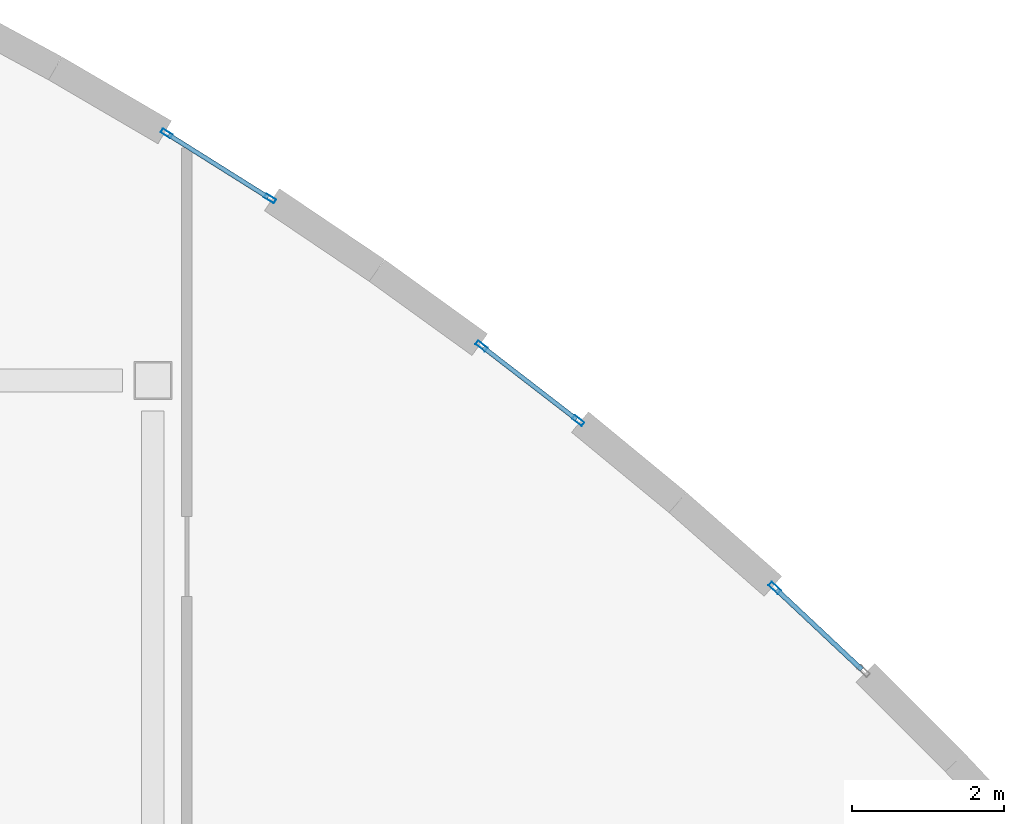
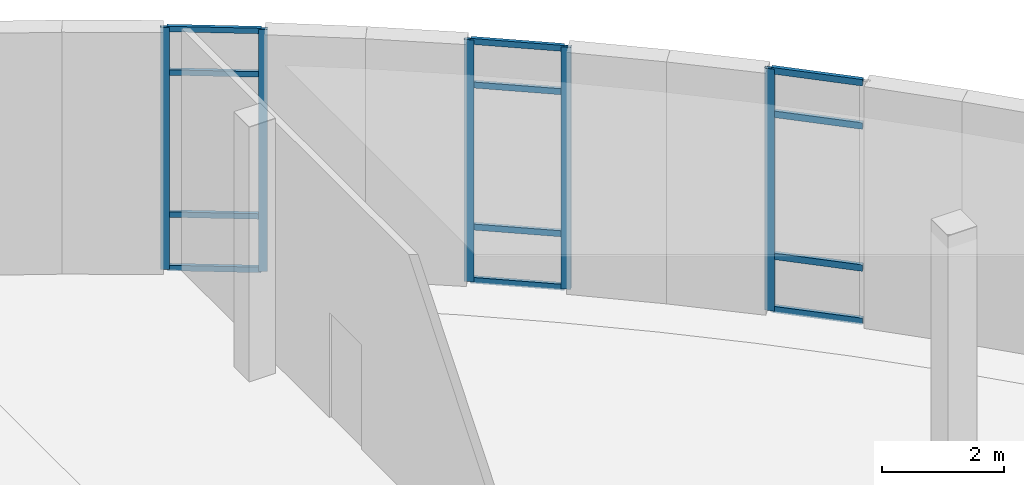
# One storey, part 56 of 104: 17 members, 3 elements without a shape of their own.
"""IFC4 building model written with IfcOpenShell, lengths in metres."""

import ifcopenshell
import ifcopenshell.guid

model = None  # the IFC model being written
_history = None  # IfcOwnerHistory: only IFC2X3 demands one
_inside = {}  # id of a spatial element -> (the spatial element, [elements in it])
_under = {}  # id of a project, library or spatial element -> (it, [spatial elements below it])
_declared = {}  # id of a project -> (the project, [libraries it declares])
_typed = {}  # id of a type object -> (the type object, [elements of that type])
_made_of = {}  # id of a material, layer set ... -> (it, [elements and type objects made of it])


def new_model(schema):
    """Start an empty IFC model of exactly this schema.

    Asked for "IFC4X3", IfcOpenShell would pick the latest addendum, in which some entities
    have other attributes; the version numbers below select the first issue.
    IFC2X3 requires an IfcOwnerHistory on every rooted entity: one is made here for all.
    """
    global model, _history
    if schema == "IFC4X3":
        model = ifcopenshell.file(schema_version=(4, 3, 0, 0))
    else:
        model = ifcopenshell.file(schema=schema)
    _inside.clear()
    _under.clear()
    _declared.clear()
    _typed.clear()
    _made_of.clear()
    _history = None
    if model.schema == "IFC2X3":
        org = make("IfcOrganization", Name="unknown")
        user = make(
            "IfcPersonAndOrganization",
            ThePerson=make("IfcPerson", FamilyName="unknown"),
            TheOrganization=org,
        )
        app = make(
            "IfcApplication",
            ApplicationDeveloper=org,
            Version="unknown",
            ApplicationFullName="unknown",
            ApplicationIdentifier="unknown",
        )
        _history = make(
            "IfcOwnerHistory",
            OwningUser=user,
            OwningApplication=app,
            ChangeAction="ADDED",
            CreationDate=0,
        )
    return model


def make(cls, **values):
    """One entity of the class cls with the attributes given. An attribute that is None is left unset."""
    return model.create_entity(
        cls, **{name: value for name, value in values.items() if value is not None}
    )


def rooted(cls, **values):
    """An entity with a GlobalId (a new one), such as an element, a storey or a relation."""
    return make(cls, GlobalId=ifcopenshell.guid.new(), OwnerHistory=_history, **values)


def si_unit(unit_type, name, prefix=None):
    """IfcSIUnit, for example si_unit("LENGTHUNIT", "METRE", prefix="MILLI")."""
    return make("IfcSIUnit", UnitType=unit_type, Prefix=prefix, Name=name)


def assignment(units):
    """IfcUnitAssignment: the units of a project."""
    return None if units is None else make("IfcUnitAssignment", Units=units)


def point(xyz):
    """IfcCartesianPoint."""
    return None if xyz is None else make("IfcCartesianPoint", Coordinates=xyz)


def direction(xyz):
    """IfcDirection."""
    return None if xyz is None else make("IfcDirection", DirectionRatios=xyz)


def frame(location, z_axis=None, x_axis=None):
    """IfcAxis2Placement3D, a coordinate frame: its origin and axes. An axis left out is left unset."""
    return make(
        "IfcAxis2Placement3D",
        Location=point(location),
        Axis=direction(z_axis),
        RefDirection=direction(x_axis),
    )


def frame_2d(location, x_axis=None):
    """IfcAxis2Placement2D, a coordinate frame in the plane: its origin and x axis."""
    return make(
        "IfcAxis2Placement2D", Location=point(location), RefDirection=direction(x_axis)
    )


def origin():
    """The frame at (0, 0, 0) with its axes left unset."""
    return frame((0.0, 0.0, 0.0))


def origin_2d():
    """The frame at (0, 0) in the plane with its x axis left unset."""
    return frame_2d((0.0, 0.0))


def place(relative_to, where):
    """IfcLocalPlacement: puts the frame where relative to a parent placement (None: the world)."""
    return make(
        "IfcLocalPlacement", PlacementRelTo=relative_to, RelativePlacement=where
    )


def context(
    kind, dimensions, precision=None, world=None, true_north=None, identifier=None
):
    """IfcGeometricRepresentationContext, for example the 3D "Model" context."""
    return make(
        "IfcGeometricRepresentationContext",
        ContextIdentifier=identifier,
        ContextType=kind,
        CoordinateSpaceDimension=dimensions,
        Precision=precision,
        WorldCoordinateSystem=world,
        TrueNorth=true_north,
    )


def subcontext(parent, identifier, kind, view, scale=None):
    """IfcGeometricRepresentationSubContext, for example "Body" below "Model"."""
    return make(
        "IfcGeometricRepresentationSubContext",
        ContextIdentifier=identifier,
        ContextType=kind,
        ParentContext=parent,
        TargetScale=scale,
        TargetView=view,
    )


def project(units=None, contexts=None):
    """IfcProject with its units and contexts."""
    return rooted(
        "IfcProject",
        Name="project",
        RepresentationContexts=contexts,
        UnitsInContext=assignment(units),
    )


def spatial(cls, under=None, at=None, **own):
    """A site, building, storey or space (cls), placed at a placement, below another one or the project."""
    s = rooted(cls, ObjectPlacement=at, **own)
    if under is not None:
        _under.setdefault(under.id(), (under, []))[1].append(s)
    return s


def profile(cls, at=None, kind="AREA", **sizes):
    """A parametric profile (cls). Its sizes go by their IFC names, for example OverallWidth=200.0."""
    return make(cls, ProfileType=kind, Position=at, **sizes)


def hollow_rectangle(**sizes):
    """IfcRectangleHollowProfileDef."""
    return profile("IfcRectangleHollowProfileDef", **sizes)


def extrude(swept, where, along, depth):
    """IfcExtrudedAreaSolid: the profile swept, set in the frame where, extruded along a direction by depth."""
    return make(
        "IfcExtrudedAreaSolid",
        SweptArea=swept,
        Position=where,
        ExtrudedDirection=direction(along),
        Depth=depth,
    )


def shape(context_of_items, identifier, shape_type, items):
    """IfcShapeRepresentation: the items that make up one representation, for example the "Body"."""
    return make(
        "IfcShapeRepresentation",
        ContextOfItems=context_of_items,
        RepresentationIdentifier=identifier,
        RepresentationType=shape_type,
        Items=items,
    )


def material(Name=None, Category=None):
    """IfcMaterial."""
    return make("IfcMaterial", Name=Name, Category=Category)


def layer(
    of_material, thickness, ventilated=None, Name=None, Category=None, Priority=None
):
    """IfcMaterialLayer: one layer of a wall or slab, of a material (None: an air gap)."""
    return make(
        "IfcMaterialLayer",
        Material=of_material,
        LayerThickness=thickness,
        IsVentilated=ventilated,
        Name=Name,
        Category=Category,
        Priority=Priority,
    )


def layer_set(layers, Name=None):
    """IfcMaterialLayerSet."""
    return make("IfcMaterialLayerSet", MaterialLayers=layers, LayerSetName=Name)


def material_profile(
    of_material, cross_section, Name=None, Category=None, Priority=None
):
    """IfcMaterialProfile: a cross section and its material."""
    return make(
        "IfcMaterialProfile",
        Name=Name,
        Material=of_material,
        Profile=cross_section,
        Priority=Priority,
        Category=Category,
    )


def profile_set(profiles, Name=None, composite=None):
    """IfcMaterialProfileSet."""
    return make(
        "IfcMaterialProfileSet",
        Name=Name,
        MaterialProfiles=profiles,
        CompositeProfile=composite,
    )


def made_of(thing, what):
    """Note that an element or type object is made of a material, layer set ...; save() writes the relation."""
    if what is not None:
        _made_of.setdefault(what.id(), (what, []))[1].append(thing)
    return thing


def type_object(cls, material=None, **own):
    """A type object (cls), such as IfcWallType, which elements share."""
    return made_of(rooted(cls, **own), material)


def element(
    cls,
    number,
    at=None,
    inside=None,
    cuts=None,
    type_object=None,
    material=None,
    context=None,
    identifier="Body",
    shape_type=None,
    held_by="IfcProductDefinitionShape",
    body=None,
    shapes=None,
    **own,
):
    """One element of the class cls, such as IfcWall. Its Tag is "e" and its number.

    at: its placement. inside: the storey or other place that contains it. cuts: it is an
    opening in that element (IfcRelVoidsElement). A single representation is given by context,
    identifier, shape_type and body (its items); several are given by shapes. held_by: the class
    of the entity that holds the representations. save() writes the other relations.
    """
    e = rooted(cls, Tag="e%d" % number, ObjectPlacement=at, **own)
    if body is not None:
        shapes = [shape(context, identifier, shape_type, body)]
    if shapes is not None:
        e.Representation = make(held_by, Representations=shapes)
    if inside is not None:
        _inside.setdefault(inside.id(), (inside, []))[1].append(e)
    if cuts is not None:
        rooted(
            "IfcRelVoidsElement", RelatingBuildingElement=cuts, RelatedOpeningElement=e
        )
    if type_object is not None:
        _typed.setdefault(type_object.id(), (type_object, []))[1].append(e)
    return made_of(e, material)


def aggregate(whole, parts):
    """IfcRelAggregates: a whole, such as a stair, and the parts it consists of."""
    return rooted("IfcRelAggregates", RelatingObject=whole, RelatedObjects=parts)


def save(model, path):
    """Write the relations noted so far, then the file.

    IfcRelAggregates (storeys below a building ...), IfcRelContainedInSpatialStructure (elements
    in a storey), IfcRelDefinesByType, IfcRelAssociatesMaterial and IfcRelDeclares: one each for
    every whole, place, type object, material and project.
    """
    for whole, parts in _under.values():
        aggregate(whole, parts)
    for where, things in _inside.values():
        rooted(
            "IfcRelContainedInSpatialStructure",
            RelatedElements=things,
            RelatingStructure=where,
        )
    for kind, things in _typed.values():
        rooted("IfcRelDefinesByType", RelatedObjects=things, RelatingType=kind)
    for what, things in _made_of.values():
        rooted("IfcRelAssociatesMaterial", RelatedObjects=things, RelatingMaterial=what)
    for by, libraries in _declared.values():
        rooted("IfcRelDeclares", RelatingContext=by, RelatedDefinitions=libraries)
    model.write(path)


model = new_model("IFC4")

# Units and contexts
model_context = context("Model", 3, precision=1e-05, world=origin(), true_north=direction((0.0, 1.0)))
body_context = subcontext(model_context, "Body", "Model", "MODEL_VIEW")
ifc_project = project(units=[si_unit("LENGTHUNIT", "METRE"), si_unit("AREAUNIT", "SQUARE_METRE"), si_unit("VOLUMEUNIT", "CUBIC_METRE"), si_unit("PLANEANGLEUNIT", "RADIAN"), si_unit("MASSUNIT", "GRAM", prefix="KILO"), si_unit("THERMODYNAMICTEMPERATUREUNIT", "KELVIN")], contexts=[model_context])

# Site, building, storey
site_placement = place(None, origin())
site = spatial("IfcSite", under=ifc_project, at=site_placement, CompositionType="ELEMENT")
building_placement = place(site_placement, origin())
building = spatial("IfcBuilding", under=site, at=building_placement, Name="Lustrewick Department Store", CompositionType="ELEMENT")
storey_placement = place(building_placement, frame((0.0, 0.0, 11.39990234375)))
storey = spatial("IfcBuildingStorey", under=building, at=storey_placement, Name="L03", CompositionType="ELEMENT", Elevation=11.39990234375)

# Curtain wall, members
ifc_material = material(Name="Thermally broken aluminium 6063-T5", Category="aluminium")
ifc_layer_1 = layer(ifc_material, 0.169921875, Name="Thermally broken aluminium 6063-T5")
ifc_layer_set_1 = layer_set([ifc_layer_1], Name="Thermally broken aluminium 6063-T5")
curtain_wall_type_1 = type_object("IfcCurtainWallType", Name="CW03", PredefinedType="NOTDEFINED", material=ifc_layer_set_1)
curtain_wall_1_placement = place(storey_placement, origin())
curtain_wall_1 = element("IfcCurtainWall", 1, at=curtain_wall_1_placement, inside=storey, type_object=curtain_wall_type_1, Name="L03 V4 Curtain Wall CW03", PredefinedType="NOTDEFINED")
ifc_material_profile_1 = material_profile(ifc_material, hollow_rectangle(XDim=0.06494140625, YDim=0.169921875, WallThickness=0.00390625, at=origin_2d()), Name="ALU-M 65x170x4")
ifc_profile_set_1 = profile_set([ifc_material_profile_1], Name="Thermally broken aluminium 6063-T5")
member_type_1 = type_object("IfcMemberType", Name="CW03-M1", PredefinedType="MULLION", material=ifc_profile_set_1)
member_1_placement = place(storey_placement, frame((150.9833984375, 98.072265625, 0.0), z_axis=(0.0, 0.0, 1.0), x_axis=(-0.68406683598, -0.729419333383, 0.0)))
member_1 = element("IfcMember", 2, at=member_1_placement, type_object=member_type_1, Name="CW03 mullion 2", PredefinedType="MULLION", context=body_context, shape_type="SweptSolid", body=[
    extrude(hollow_rectangle(XDim=0.06494140625, YDim=0.169921875, WallThickness=0.00390625, at=origin_2d()), origin(), (0.0, 0.0, 1.0), 4.84521484375),
])
ifc_material_profile_2 = material_profile(ifc_material, hollow_rectangle(XDim=0.06494140625, YDim=0.1298828125, WallThickness=0.00341796875, at=origin_2d()), Name="ALU-T 65x130x3.5")
ifc_profile_set_2 = profile_set([ifc_material_profile_2], Name="Thermally broken aluminium 6063-T5")
member_type_2 = type_object("IfcMemberType", Name="CW03-T1", PredefinedType="USERDEFINED", material=ifc_profile_set_2)
member_2_placement = place(storey_placement, frame((152.128173828125, 96.998779296875, 0.03271484375), z_axis=(-0.72945793733, 0.684025670327, 0.0), x_axis=(-0.684025670327, -0.72945793733, 0.0)))
member_2 = element("IfcMember", 3, at=member_2_placement, type_object=member_type_2, Name="CW03 transom 1.1", ObjectType="TRANSOM", PredefinedType="USERDEFINED", context=body_context, shape_type="SweptSolid", body=[
    extrude(hollow_rectangle(XDim=0.06494140625, YDim=0.1298828125, WallThickness=0.00341796875, at=origin_2d()), origin(), (0.0, 0.0, 1.0), 1.536865234375),
])
member_3_placement = place(storey_placement, frame((152.128173828125, 96.998779296875, 1.10009765625), z_axis=(-0.72945793733, 0.684025670327, 0.0), x_axis=(-0.684025670327, -0.72945793733, 0.0)))
member_3 = element("IfcMember", 4, at=member_3_placement, type_object=member_type_2, Name="CW03 transom 1.2", ObjectType="TRANSOM", PredefinedType="USERDEFINED", context=body_context, shape_type="SweptSolid", body=[
    extrude(hollow_rectangle(XDim=0.06494140625, YDim=0.1298828125, WallThickness=0.00341796875, at=origin_2d()), origin(), (0.0, 0.0, 1.0), 1.536865234375),
])
member_4_placement = place(storey_placement, frame((152.128173828125, 96.998779296875, 3.945068359375), z_axis=(-0.72945793733, 0.684025670327, 0.0), x_axis=(-0.684025670327, -0.72945793733, 0.0)))
member_4 = element("IfcMember", 5, at=member_4_placement, type_object=member_type_2, Name="CW03 transom 1.3", ObjectType="TRANSOM", PredefinedType="USERDEFINED", context=body_context, shape_type="SweptSolid", body=[
    extrude(hollow_rectangle(XDim=0.06494140625, YDim=0.1298828125, WallThickness=0.00341796875, at=origin_2d()), origin(), (0.0, 0.0, 1.0), 1.536865234375),
])
member_5_placement = place(storey_placement, frame((152.128173828125, 96.998779296875, 4.8125), z_axis=(-0.72945793733, 0.684025670327, 0.0), x_axis=(-0.684025670327, -0.72945793733, 0.0)))
member_5 = element("IfcMember", 6, at=member_5_placement, type_object=member_type_2, Name="CW03 transom 1.4", ObjectType="TRANSOM", PredefinedType="USERDEFINED", context=body_context, shape_type="SweptSolid", body=[
    extrude(hollow_rectangle(XDim=0.06494140625, YDim=0.1298828125, WallThickness=0.00341796875, at=origin_2d()), origin(), (0.0, 0.0, 1.0), 1.536865234375),
])
aggregate(curtain_wall_1, [member_1, member_2, member_3, member_4, member_5])

ifc_layer_2 = layer(ifc_material, 0.159912109375, Name="Thermally broken aluminium 6063-T5")
ifc_layer_set_2 = layer_set([ifc_layer_2], Name="Thermally broken aluminium 6063-T5")
curtain_wall_type_2 = type_object("IfcCurtainWallType", Name="CW04", PredefinedType="NOTDEFINED", material=ifc_layer_set_2)
curtain_wall_2_placement = place(storey_placement, origin())
curtain_wall_2 = element("IfcCurtainWall", 7, at=curtain_wall_2_placement, inside=storey, type_object=curtain_wall_type_2, Name="L03 V4 Curtain Wall CW04", PredefinedType="NOTDEFINED")
ifc_material_profile_3 = material_profile(ifc_material, hollow_rectangle(XDim=0.06005859375, YDim=0.159912109375, WallThickness=0.00390625, at=origin_2d()), Name="ALU-M 60x160x4")
ifc_profile_set_3 = profile_set([ifc_material_profile_3], Name="Thermally broken aluminium 6063-T5")
member_type_3 = type_object("IfcMemberType", Name="CW04-M1", PredefinedType="MULLION", material=ifc_profile_set_3)
member_6_placement = place(storey_placement, frame((148.397705078125, 100.2734375, 0.0), z_axis=(0.0, 0.0, 1.0), x_axis=(-0.610866848982, -0.791733347039, 0.0)))
member_6 = element("IfcMember", 8, at=member_6_placement, type_object=member_type_3, Name="CW04 mullion 1", PredefinedType="MULLION", context=body_context, shape_type="SweptSolid", body=[
    extrude(hollow_rectangle(XDim=0.06005859375, YDim=0.159912109375, WallThickness=0.00390625, at=origin_2d()), origin(), (0.0, 0.0, 1.0), 4.84521484375),
])
member_7_placement = place(storey_placement, frame((147.12548828125, 101.255126953125, 0.0), z_axis=(0.0, 0.0, 1.0), x_axis=(-0.610866848982, -0.791733347039, 0.0)))
member_7 = element("IfcMember", 9, at=member_7_placement, type_object=member_type_3, Name="CW04 mullion 2", PredefinedType="MULLION", context=body_context, shape_type="SweptSolid", body=[
    extrude(hollow_rectangle(XDim=0.06005859375, YDim=0.159912109375, WallThickness=0.00390625, at=origin_2d()), origin(), (0.0, 0.0, 1.0), 4.84521484375),
])
ifc_material_profile_4 = material_profile(ifc_material, hollow_rectangle(XDim=0.06005859375, YDim=0.1201171875, WallThickness=0.00341796875, at=origin_2d()), Name="ALU-T 60x120x3.5")
ifc_profile_set_4 = profile_set([ifc_material_profile_4], Name="Thermally broken aluminium 6063-T5")
member_type_4 = type_object("IfcMemberType", Name="CW04-T1", PredefinedType="USERDEFINED", material=ifc_profile_set_4)
member_8_placement = place(storey_placement, frame((148.3740234375, 100.291748046875, 0.030029296875), z_axis=(-0.791725557367, 0.610876944901, 0.0), x_axis=(-0.610876944901, -0.791725557367, 0.0)))
member_8 = element("IfcMember", 10, at=member_8_placement, type_object=member_type_4, Name="CW04 transom 1.1", ObjectType="TRANSOM", PredefinedType="USERDEFINED", context=body_context, shape_type="SweptSolid", body=[
    extrude(hollow_rectangle(XDim=0.06005859375, YDim=0.1201171875, WallThickness=0.00341796875, at=origin_2d()), origin(), (0.0, 0.0, 1.0), 1.547119140625),
])
member_9_placement = place(storey_placement, frame((148.3740234375, 100.291748046875, 1.10009765625), z_axis=(-0.791725557367, 0.610876944901, 0.0), x_axis=(-0.610876944901, -0.791725557367, 0.0)))
member_9 = element("IfcMember", 11, at=member_9_placement, type_object=member_type_4, Name="CW04 transom 1.2", ObjectType="TRANSOM", PredefinedType="USERDEFINED", context=body_context, shape_type="SweptSolid", body=[
    extrude(hollow_rectangle(XDim=0.06005859375, YDim=0.1201171875, WallThickness=0.00341796875, at=origin_2d()), origin(), (0.0, 0.0, 1.0), 1.547119140625),
])
member_10_placement = place(storey_placement, frame((148.3740234375, 100.291748046875, 3.945068359375), z_axis=(-0.791725557367, 0.610876944901, 0.0), x_axis=(-0.610876944901, -0.791725557367, 0.0)))
member_10 = element("IfcMember", 12, at=member_10_placement, type_object=member_type_4, Name="CW04 transom 1.3", ObjectType="TRANSOM", PredefinedType="USERDEFINED", context=body_context, shape_type="SweptSolid", body=[
    extrude(hollow_rectangle(XDim=0.06005859375, YDim=0.1201171875, WallThickness=0.00341796875, at=origin_2d()), origin(), (0.0, 0.0, 1.0), 1.547119140625),
])
member_11_placement = place(storey_placement, frame((148.3740234375, 100.291748046875, 4.815185546875), z_axis=(-0.791725557367, 0.610876944901, 0.0), x_axis=(-0.610876944901, -0.791725557367, 0.0)))
member_11 = element("IfcMember", 13, at=member_11_placement, type_object=member_type_4, Name="CW04 transom 1.4", ObjectType="TRANSOM", PredefinedType="USERDEFINED", context=body_context, shape_type="SweptSolid", body=[
    extrude(hollow_rectangle(XDim=0.06005859375, YDim=0.1201171875, WallThickness=0.00341796875, at=origin_2d()), origin(), (0.0, 0.0, 1.0), 1.547119140625),
])
aggregate(curtain_wall_2, [member_6, member_7, member_8, member_9, member_10, member_11])

ifc_layer_3 = layer(ifc_material, 0.14990234375, Name="Thermally broken aluminium 6063-T5")
ifc_layer_set_3 = layer_set([ifc_layer_3], Name="Thermally broken aluminium 6063-T5")
curtain_wall_type_3 = type_object("IfcCurtainWallType", Name="CW05", PredefinedType="NOTDEFINED", material=ifc_layer_set_3)
curtain_wall_3_placement = place(storey_placement, origin())
curtain_wall_3 = element("IfcCurtainWall", 14, at=curtain_wall_3_placement, inside=storey, type_object=curtain_wall_type_3, Name="L03 V4 Curtain Wall CW05", PredefinedType="NOTDEFINED")
ifc_material_profile_5 = material_profile(ifc_material, hollow_rectangle(XDim=0.06005859375, YDim=0.14990234375, WallThickness=0.00341796875, at=origin_2d()), Name="ALU-M 60x150x3.5")
ifc_profile_set_5 = profile_set([ifc_material_profile_5], Name="Thermally broken aluminium 6063-T5")
member_type_5 = type_object("IfcMemberType", Name="CW05-M1", PredefinedType="MULLION", material=ifc_profile_set_5)
member_12_placement = place(storey_placement, frame((144.34228515625, 103.196533203125, 0.0), z_axis=(0.0, 0.0, 1.0), x_axis=(-0.532014270503, -0.846735387226, 0.0)))
member_12 = element("IfcMember", 15, at=member_12_placement, type_object=member_type_5, Name="CW05 mullion 1", PredefinedType="MULLION", context=body_context, shape_type="SweptSolid", body=[
    extrude(hollow_rectangle(XDim=0.06005859375, YDim=0.14990234375, WallThickness=0.00341796875, at=origin_2d()), origin(), (0.0, 0.0, 1.0), 4.84521484375),
])
member_13_placement = place(storey_placement, frame((142.981689453125, 104.051513671875, 0.0), z_axis=(0.0, 0.0, 1.0), x_axis=(-0.532014270503, -0.846735387226, 0.0)))
member_13 = element("IfcMember", 16, at=member_13_placement, type_object=member_type_5, Name="CW05 mullion 2", PredefinedType="MULLION", context=body_context, shape_type="SweptSolid", body=[
    extrude(hollow_rectangle(XDim=0.06005859375, YDim=0.14990234375, WallThickness=0.00341796875, at=origin_2d()), origin(), (0.0, 0.0, 1.0), 4.84521484375),
])
ifc_material_profile_6 = material_profile(ifc_material, hollow_rectangle(XDim=0.06005859375, YDim=0.110107421875, WallThickness=0.0029296875, at=origin_2d()), Name="ALU-T 60x110x3")
ifc_profile_set_6 = profile_set([ifc_material_profile_6], Name="Thermally broken aluminium 6063-T5")
member_type_6 = type_object("IfcMemberType", Name="CW05-T1", PredefinedType="USERDEFINED", material=ifc_profile_set_6)
member_14_placement = place(storey_placement, frame((144.31689453125, 103.21240234375, 0.030029296875), z_axis=(-0.846683280776, 0.5320971923, 0.0), x_axis=(-0.5320971923, -0.846683280776, 0.0)))
member_14 = element("IfcMember", 17, at=member_14_placement, type_object=member_type_6, Name="CW05 transom 1.1", ObjectType="TRANSOM", PredefinedType="USERDEFINED", context=body_context, shape_type="SweptSolid", body=[
    extrude(hollow_rectangle(XDim=0.06005859375, YDim=0.110107421875, WallThickness=0.0029296875, at=origin_2d()), origin(), (0.0, 0.0, 1.0), 1.546630859375),
])
member_15_placement = place(storey_placement, frame((144.31689453125, 103.21240234375, 1.10009765625), z_axis=(-0.846683280776, 0.5320971923, 0.0), x_axis=(-0.5320971923, -0.846683280776, 0.0)))
member_15 = element("IfcMember", 18, at=member_15_placement, type_object=member_type_6, Name="CW05 transom 1.2", ObjectType="TRANSOM", PredefinedType="USERDEFINED", context=body_context, shape_type="SweptSolid", body=[
    extrude(hollow_rectangle(XDim=0.06005859375, YDim=0.110107421875, WallThickness=0.0029296875, at=origin_2d()), origin(), (0.0, 0.0, 1.0), 1.546630859375),
])
member_16_placement = place(storey_placement, frame((144.31689453125, 103.21240234375, 3.945068359375), z_axis=(-0.846683280776, 0.5320971923, 0.0), x_axis=(-0.5320971923, -0.846683280776, 0.0)))
member_16 = element("IfcMember", 19, at=member_16_placement, type_object=member_type_6, Name="CW05 transom 1.3", ObjectType="TRANSOM", PredefinedType="USERDEFINED", context=body_context, shape_type="SweptSolid", body=[
    extrude(hollow_rectangle(XDim=0.06005859375, YDim=0.110107421875, WallThickness=0.0029296875, at=origin_2d()), origin(), (0.0, 0.0, 1.0), 1.546630859375),
])
member_17_placement = place(storey_placement, frame((144.31689453125, 103.21240234375, 4.815185546875), z_axis=(-0.846683280776, 0.5320971923, 0.0), x_axis=(-0.5320971923, -0.846683280776, 0.0)))
member_17 = element("IfcMember", 20, at=member_17_placement, type_object=member_type_6, Name="CW05 transom 1.4", ObjectType="TRANSOM", PredefinedType="USERDEFINED", context=body_context, shape_type="SweptSolid", body=[
    extrude(hollow_rectangle(XDim=0.06005859375, YDim=0.110107421875, WallThickness=0.0029296875, at=origin_2d()), origin(), (0.0, 0.0, 1.0), 1.546630859375),
])
aggregate(curtain_wall_3, [member_12, member_13, member_14, member_15, member_16, member_17])

save(model, "model.ifc")
